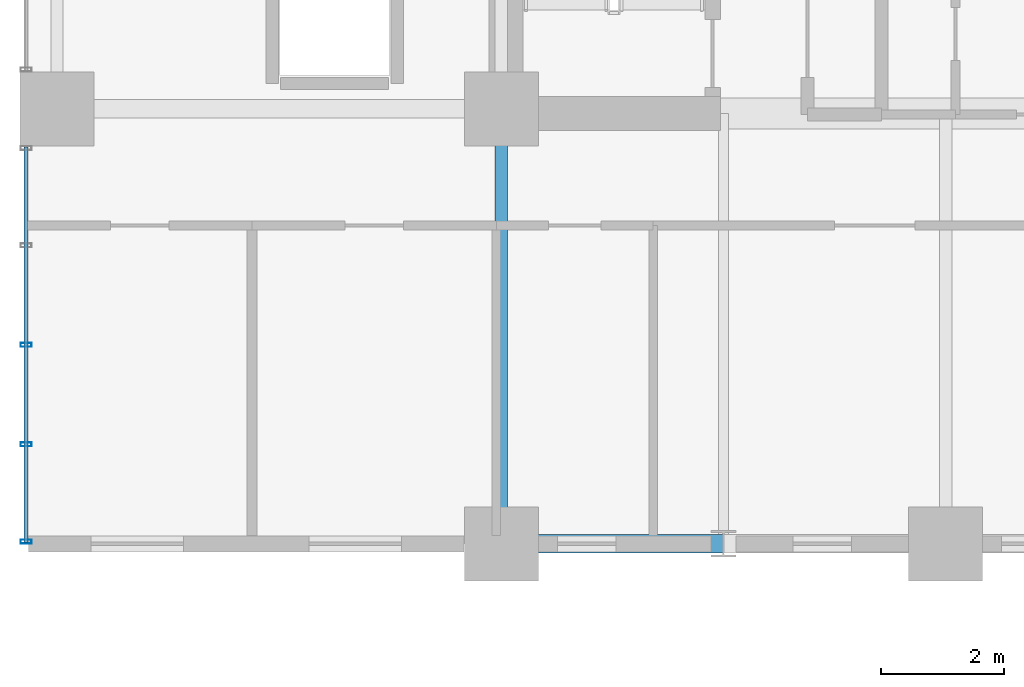
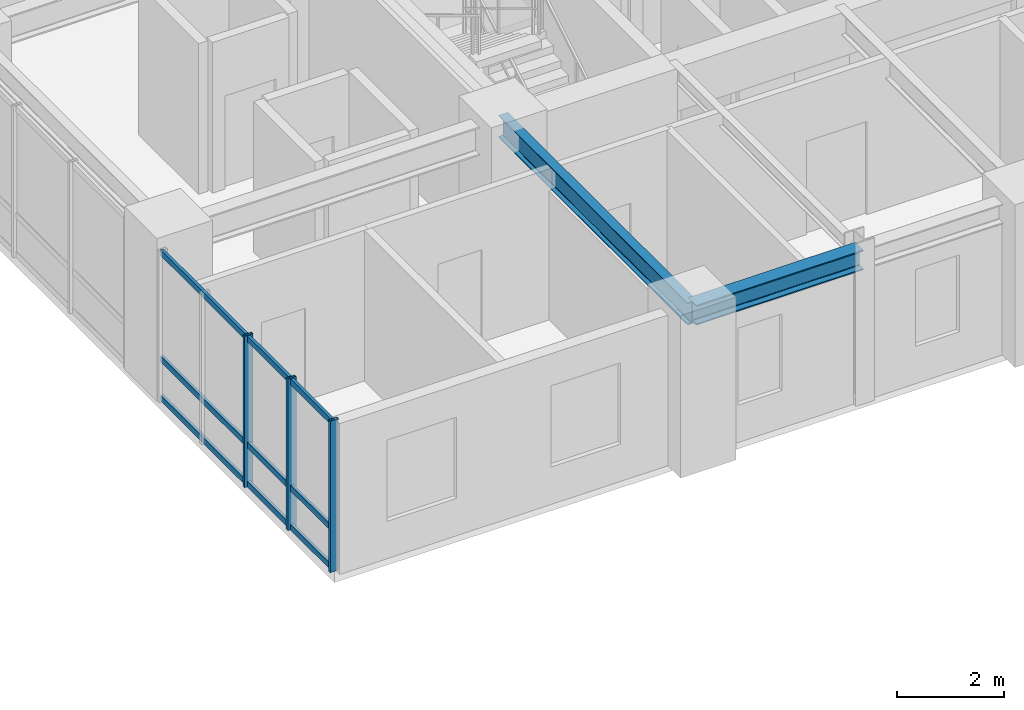
# One storey, part 2 of 17: 6 members, 2 beams, 1 element without a shape of its own.
"""IFC4 building model written with IfcOpenShell, lengths in metres."""

from ifc_helpers import new_model, si_unit, direction, frame, origin, origin_2d, place, context, subcontext, project, spatial, hollow_rectangle, i_section, extrude, source, transform, mapped, material, layer, layer_set, material_profile, profile_set, type_object, element, aggregate, save


model = new_model("IFC4")

# Units and contexts
model_context = context("Model", 3, precision=1e-05, world=origin(), true_north=direction((0.0, 1.0)))
body_context = subcontext(model_context, "Body", "Model", "MODEL_VIEW")
ifc_project = project(units=[si_unit("LENGTHUNIT", "METRE"), si_unit("AREAUNIT", "SQUARE_METRE"), si_unit("VOLUMEUNIT", "CUBIC_METRE"), si_unit("PLANEANGLEUNIT", "RADIAN"), si_unit("MASSUNIT", "GRAM", prefix="KILO")], contexts=[model_context])

# Site, building, storey
site_placement = place(None, origin())
site = spatial("IfcSite", under=ifc_project, at=site_placement, CompositionType="ELEMENT")
building_placement = place(site_placement, origin())
building = spatial("IfcBuilding", under=site, at=building_placement, Name="Kaliganga Portal Commons", CompositionType="ELEMENT")
storey_placement = place(building_placement, frame((0.0, 0.0, 108.199951171875)))
storey = spatial("IfcBuildingStorey", under=building, at=storey_placement, Name="L27", CompositionType="ELEMENT", Elevation=108.199951171875)

# Beams
ifc_material_1 = material(Name="Structural steel S355J2", Category="steel")
ifc_material_profile_1 = material_profile(ifc_material_1, i_section(OverallWidth=0.199951171875, OverallDepth=0.5, WebThickness=0.01025390625, FlangeThickness=0.01611328125, FilletRadius=0.02099609375, at=origin_2d()), Name="IPE 500")
ifc_profile_set_1 = profile_set([ifc_material_profile_1], Name="Structural steel S355J2 wide-flange")
beam_type_1 = type_object("IfcBeamType", Name="BM-FLR-500", PredefinedType="BEAM", material=ifc_profile_set_1)
shared_shape_1 = source(origin(), body_context, "Body", "SweptSolid", [
    extrude(i_section(OverallWidth=0.199951171875, OverallDepth=0.5, WebThickness=0.01025390625, FlangeThickness=0.01611328125, FilletRadius=0.02099609375, at=origin_2d()), origin(), (0.0, 0.0, 1.0), 7.0498046875),
])
beam_1_placement = place(storey_placement, frame((14.39990234375, 21.60009765625, 3.199951171875), z_axis=(0.0, 1.0, 0.0), x_axis=(-1.0, 0.0, 0.0)))
element("IfcBeam", 1, at=beam_1_placement, inside=storey, type_object=beam_type_1, Name="BM G L27 AS144", PredefinedType="BEAM", context=body_context, shape_type="MappedRepresentation", body=[
    mapped(shared_shape_1, transform((0.0, 0.0, 0.0), x_axis=(1.0, 0.0, 0.0), y_axis=(0.0, 1.0, 0.0), z_axis=(0.0, 0.0, 1.0), scale=1.0)),
])
ifc_material_profile_2 = material_profile(ifc_material_1, i_section(OverallWidth=0.300048828125, OverallDepth=0.449951171875, WebThickness=0.013916015625, FlangeThickness=0.02587890625, FilletRadius=0.027099609375, at=origin_2d()), Name="HE 450 B")
ifc_profile_set_2 = profile_set([ifc_material_profile_2], Name="Structural steel S355J2 wide-flange")
beam_type_2 = type_object("IfcBeamType", Name="BM-SPAND-450", PredefinedType="SPANDREL", material=ifc_profile_set_2)
shared_shape_2 = source(origin(), body_context, "Body", "SweptSolid", [
    extrude(i_section(OverallWidth=0.300048828125, OverallDepth=0.449951171875, WebThickness=0.013916015625, FlangeThickness=0.02587890625, FilletRadius=0.027099609375, at=origin_2d()), origin(), (0.0, 0.0, 1.0), 3.60009765625),
])
beam_2_placement = place(storey_placement, frame((14.39990234375, 21.60009765625, 3.22509765625), z_axis=(1.0, 0.0, 0.0), x_axis=(0.0, 1.0, 0.0)))
element("IfcBeam", 2, at=beam_2_placement, inside=storey, type_object=beam_type_2, Name="BM SP L27 AS 1", PredefinedType="SPANDREL", context=body_context, shape_type="MappedRepresentation", body=[
    mapped(shared_shape_2, transform((0.0, 0.0, 0.0), x_axis=(1.0, 0.0, 0.0), y_axis=(0.0, 1.0, 0.0), z_axis=(0.0, 0.0, 1.0), scale=1.0)),
])

# Curtain wall, members
ifc_material_2 = material(Name="Anodized Aluminium and Laminated Low-E Glass", Category="aluminium")
ifc_layer = layer(ifc_material_2, 0.199951171875)
ifc_layer_set = layer_set([ifc_layer], Name="Anodized Aluminium and Laminated Low-E Glass")
curtain_wall_type = type_object("IfcCurtainWallType", Name="CW-SYS-02", PredefinedType="NOTDEFINED", material=ifc_layer_set)
curtain_wall_placement = place(storey_placement, origin())
curtain_wall = element("IfcCurtainWall", 3, at=curtain_wall_placement, inside=storey, type_object=curtain_wall_type, Name="CW 02 L27 P1E09S3", PredefinedType="NOTDEFINED")
ifc_material_3 = material(Name="Dark Bronze Anodized Aluminium", Category="aluminium")
ifc_material_profile_3 = material_profile(ifc_material_3, hollow_rectangle(XDim=0.06494140625, YDim=0.179931640625, WallThickness=0.00390625, at=origin_2d()), Name="ALU MULL 65x180x4")
ifc_profile_set_3 = profile_set([ifc_material_profile_3], Name="Dark Bronze Anodized Aluminium")
member_type_1 = type_object("IfcMemberType", Name="CW-MUL-180", PredefinedType="MULLION", material=ifc_profile_set_3)
shared_shape_3 = source(origin(), body_context, "Body", "SweptSolid", [
    extrude(hollow_rectangle(XDim=0.06494140625, YDim=0.179931640625, WallThickness=0.00390625, at=origin_2d()), origin(), (0.0, 0.0, 1.0), 3.449951171875),
])
member_1_placement = place(storey_placement, frame((6.699951171875, 24.824462890625, 0.0), z_axis=(0.0, 0.0, 1.0), x_axis=(0.0, -1.0, 0.0)))
member_1 = element("IfcMember", 4, at=member_1_placement, type_object=member_type_1, Name="CW:02:L27:P1E09S3 Mullion 02", PredefinedType="MULLION", context=body_context, shape_type="MappedRepresentation", body=[
    mapped(shared_shape_3, transform((0.0, 0.0, 0.0), x_axis=(1.0, 0.0, 0.0), y_axis=(0.0, 1.0, 0.0), z_axis=(0.0, 0.0, 1.0), scale=1.0)),
])
member_2_placement = place(storey_placement, frame((6.699951171875, 23.21240234375, 0.0), z_axis=(0.0, 0.0, 1.0), x_axis=(0.0, -1.0, 0.0)))
member_2 = element("IfcMember", 5, at=member_2_placement, type_object=member_type_1, Name="CW:02:L27:P1E09S3 Mullion 03", PredefinedType="MULLION", context=body_context, shape_type="MappedRepresentation", body=[
    mapped(shared_shape_3, transform((0.0, 0.0, 0.0), x_axis=(1.0, 0.0, 0.0), y_axis=(0.0, 1.0, 0.0), z_axis=(0.0, 0.0, 1.0), scale=1.0)),
])
member_3_placement = place(storey_placement, frame((6.699951171875, 21.635009765625, 0.0), z_axis=(0.0, 0.0, 1.0), x_axis=(0.0, -1.0, 0.0)))
member_3 = element("IfcMember", 6, at=member_3_placement, type_object=member_type_1, Name="CW:02:L27:P1E09S3 Mullion 04", PredefinedType="MULLION", context=body_context, shape_type="MappedRepresentation", body=[
    mapped(shared_shape_3, transform((0.0, 0.0, 0.0), x_axis=(1.0, 0.0, 0.0), y_axis=(0.0, 1.0, 0.0), z_axis=(0.0, 0.0, 1.0), scale=1.0)),
])
ifc_material_profile_4 = material_profile(ifc_material_3, hollow_rectangle(XDim=0.06494140625, YDim=0.135009765625, WallThickness=0.00341796875, at=origin_2d()), Name="ALU TRAN 65x135x3.5")
ifc_profile_set_4 = profile_set([ifc_material_profile_4], Name="Dark Bronze Anodized Aluminium")
member_type_2 = type_object("IfcMemberType", Name="CW-TRN-135", PredefinedType="USERDEFINED", material=ifc_profile_set_4)
shared_shape_4 = source(origin(), body_context, "Body", "SweptSolid", [
    extrude(hollow_rectangle(XDim=0.06494140625, YDim=0.135009765625, WallThickness=0.00341796875, at=origin_2d()), origin(), (0.0, 0.0, 1.0), 6.408935546875),
])
member_4_placement = place(storey_placement, frame((6.699951171875, 28.029052734375, 0.06005859375), z_axis=(0.0, -1.0, 0.0), x_axis=(1.0, 0.0, 0.0)))
member_4 = element("IfcMember", 7, at=member_4_placement, type_object=member_type_2, Name="CW:02:L27:P1E09S3 Transom 1", ObjectType="TRANSOM", PredefinedType="USERDEFINED", context=body_context, shape_type="MappedRepresentation", body=[
    mapped(shared_shape_4, transform((0.0, 0.0, 0.0), x_axis=(1.0, 0.0, 0.0), y_axis=(0.0, 1.0, 0.0), z_axis=(0.0, 0.0, 1.0), scale=1.0)),
])
member_5_placement = place(storey_placement, frame((6.699951171875, 28.029052734375, 0.949951171875), z_axis=(0.0, -1.0, 0.0), x_axis=(1.0, 0.0, 0.0)))
member_5 = element("IfcMember", 8, at=member_5_placement, type_object=member_type_2, Name="CW:02:L27:P1E09S3 Transom 2", ObjectType="TRANSOM", PredefinedType="USERDEFINED", context=body_context, shape_type="MappedRepresentation", body=[
    mapped(shared_shape_4, transform((0.0, 0.0, 0.0), x_axis=(1.0, 0.0, 0.0), y_axis=(0.0, 1.0, 0.0), z_axis=(0.0, 0.0, 1.0), scale=1.0)),
])
member_6_placement = place(storey_placement, frame((6.699951171875, 28.029052734375, 3.3701171875), z_axis=(0.0, -1.0, 0.0), x_axis=(1.0, 0.0, 0.0)))
member_6 = element("IfcMember", 9, at=member_6_placement, type_object=member_type_2, Name="CW:02:L27:P1E09S3 Transom 3", ObjectType="TRANSOM", PredefinedType="USERDEFINED", context=body_context, shape_type="MappedRepresentation", body=[
    mapped(shared_shape_4, transform((0.0, 0.0, 0.0), x_axis=(1.0, 0.0, 0.0), y_axis=(0.0, 1.0, 0.0), z_axis=(0.0, 0.0, 1.0), scale=1.0)),
])
aggregate(curtain_wall, [member_1, member_2, member_3, member_4, member_5, member_6])

save(model, "model.ifc")
